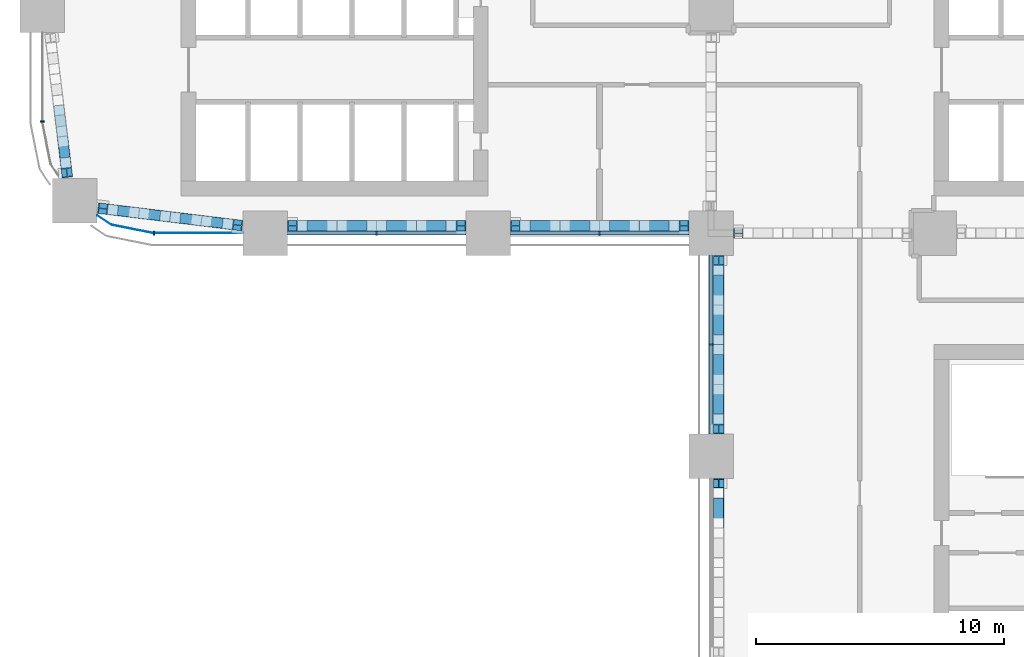
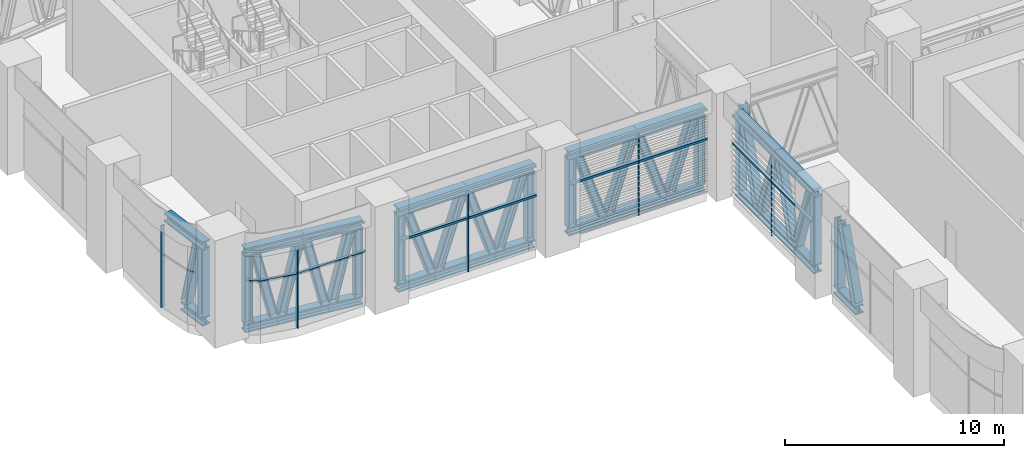
# One storey, part 3 of 24: 65 members, 5 elements without a shape of their own.
"""IFC4 building model written with IfcOpenShell, lengths in metres."""

from ifc_helpers import new_model, si_unit, direction, frame, origin, origin_2d, place, context, subcontext, project, spatial, polyline, rectangle, i_section, outline, extrude, material, material_profile, profile_set, type_object, element, aggregate, save


model = new_model("IFC4")

# Units and contexts
model_context = context("Model", 3, precision=1e-05, world=origin(), true_north=direction((0.0, 1.0)))
body_context = subcontext(model_context, "Body", "Model", "MODEL_VIEW")
ifc_project = project(units=[si_unit("LENGTHUNIT", "METRE"), si_unit("AREAUNIT", "SQUARE_METRE"), si_unit("VOLUMEUNIT", "CUBIC_METRE"), si_unit("PLANEANGLEUNIT", "RADIAN"), si_unit("MASSUNIT", "GRAM", prefix="KILO")], contexts=[model_context])

# Site, building, storey
site_placement = place(None, origin())
site = spatial("IfcSite", under=ifc_project, at=site_placement, CompositionType="ELEMENT")
building_placement = place(site_placement, origin())
building = spatial("IfcBuilding", under=site, at=building_placement, Name="Tessera Arch", CompositionType="ELEMENT")
storey_placement = place(building_placement, frame((0.0, 0.0, 123.39990234375)))
storey = spatial("IfcBuildingStorey", under=building, at=storey_placement, Name="L29", CompositionType="ELEMENT", Elevation=123.39990234375)

# Curtain wall, member
ifc_material_1 = material(Name="CW7 curtain wall")
curtain_wall_type = type_object("IfcCurtainWallType", Name="CW7 curtain wall", PredefinedType="NOTDEFINED", material=ifc_material_1)
curtain_wall_1_placement = place(storey_placement, origin())
curtain_wall_1 = element("IfcCurtainWall", 1, at=curtain_wall_1_placement, inside=storey, type_object=curtain_wall_type, Name="CW7 curtain wall W0.27/2 L29", PredefinedType="NOTDEFINED")
ifc_material_2 = material(Name="Anodised aluminium pale metal", Category="aluminium")
ifc_material_profile_1 = material_profile(ifc_material_2, rectangle(XDim=0.159912109375, YDim=0.06005859375, at=origin_2d()), Name="AL 60x160")
ifc_profile_set_1 = profile_set([ifc_material_profile_1], Name="Anodised aluminium pale metal")
member_type_1 = type_object("IfcMemberType", Name="CW7 mullion", PredefinedType="MULLION", material=ifc_profile_set_1)
member_1_placement = place(storey_placement, frame((0.0, 31.5, 0.0), z_axis=(0.0, 0.0, 1.0), x_axis=(1.0, 0.0, 0.0)))
member_1 = element("IfcMember", 2, at=member_1_placement, type_object=member_type_1, Name="CW7 mullion W0.27/2 1", PredefinedType="MULLION", context=body_context, shape_type="SweptSolid", body=[
    extrude(rectangle(XDim=0.159912109375, YDim=0.06005859375, at=origin_2d()), origin(), (0.0, 0.0, 1.0), 4.580078125),
])
aggregate(curtain_wall_1, [member_1])

curtain_wall_2_placement = place(storey_placement, origin())
curtain_wall_2 = element("IfcCurtainWall", 3, at=curtain_wall_2_placement, inside=storey, type_object=curtain_wall_type, Name="CW7 curtain wall S27.0/0 L29", PredefinedType="NOTDEFINED")
member_2_placement = place(storey_placement, frame((4.5, 27.0, 0.0), z_axis=(0.0, 0.0, 1.0), x_axis=(0.0, 1.0, 0.0)))
member_2 = element("IfcMember", 4, at=member_2_placement, type_object=member_type_1, Name="CW7 mullion S27.0/0 1", PredefinedType="MULLION", context=body_context, shape_type="SweptSolid", body=[
    extrude(rectangle(XDim=0.159912109375, YDim=0.06005859375, at=origin_2d()), origin(), (0.0, 0.0, 1.0), 4.580078125),
])

curtain_wall_3_placement = place(storey_placement, origin())
curtain_wall_3 = element("IfcCurtainWall", 5, at=curtain_wall_3_placement, inside=storey, type_object=curtain_wall_type, Name="CW7 curtain wall S27.0/1 L29", PredefinedType="NOTDEFINED")
member_3_placement = place(storey_placement, frame((13.5, 27.0, 0.0), z_axis=(0.0, 0.0, 1.0), x_axis=(0.0, 1.0, 0.0)))
member_3 = element("IfcMember", 6, at=member_3_placement, type_object=member_type_1, Name="CW7 mullion S27.0/1 1", PredefinedType="MULLION", context=body_context, shape_type="SweptSolid", body=[
    extrude(rectangle(XDim=0.159912109375, YDim=0.06005859375, at=origin_2d()), origin(), (0.0, 0.0, 1.0), 4.580078125),
])

curtain_wall_4_placement = place(storey_placement, origin())
curtain_wall_4 = element("IfcCurtainWall", 7, at=curtain_wall_4_placement, inside=storey, type_object=curtain_wall_type, Name="CW7 curtain wall S27.0/2 L29", PredefinedType="NOTDEFINED")
member_4_placement = place(storey_placement, frame((22.5, 27.0, 0.0), z_axis=(0.0, 0.0, 1.0), x_axis=(0.0, 1.0, 0.0)))
member_4 = element("IfcMember", 8, at=member_4_placement, type_object=member_type_1, Name="CW7 mullion S27.0/2 1", PredefinedType="MULLION", context=body_context, shape_type="SweptSolid", body=[
    extrude(rectangle(XDim=0.159912109375, YDim=0.06005859375, at=origin_2d()), origin(), (0.0, 0.0, 1.0), 4.580078125),
])

curtain_wall_5_placement = place(storey_placement, origin())
curtain_wall_5 = element("IfcCurtainWall", 9, at=curtain_wall_5_placement, inside=storey, type_object=curtain_wall_type, Name="CW7 curtain wall W27.0/0 L29", PredefinedType="NOTDEFINED")
member_5_placement = place(storey_placement, frame((27.0, 22.5, 0.0), z_axis=(0.0, 0.0, 1.0), x_axis=(1.0, 0.0, 0.0)))
member_5 = element("IfcMember", 10, at=member_5_placement, type_object=member_type_1, Name="CW7 mullion W27.0/0 1", PredefinedType="MULLION", context=body_context, shape_type="SweptSolid", body=[
    extrude(rectangle(XDim=0.159912109375, YDim=0.06005859375, at=origin_2d()), origin(), (0.0, 0.0, 1.0), 4.47021484375),
])

# Member
ifc_material_3 = material(Name="Anodised aluminium pale metal", Category="aluminium")
ifc_material_profile_2 = material_profile(ifc_material_3, rectangle(XDim=0.159912109375, YDim=0.1201171875, at=origin_2d()), Name="AL 160x120")
ifc_profile_set_2 = profile_set([ifc_material_profile_2], Name="Anodised aluminium pale metal")
member_type_2 = type_object("IfcMemberType", Name="CW7 transom", PredefinedType="USERDEFINED", material=ifc_profile_set_2)
member_6_placement = place(storey_placement, frame((0.0, 0.0, 3.0)))
member_6 = element("IfcMember", 11, at=member_6_placement, type_object=member_type_2, Name="CW7 transom S27.0/0 1", ObjectType="TRANSOM", PredefinedType="USERDEFINED", context=body_context, shape_type="SweptSolid", body=[
    extrude(outline(polyline([(2.78173828125, 27.351806640625), (2.2236328125, 27.72509765625), (2.21240234375, 27.70849609375), (2.77392578125, 27.3330078125), (4.4990234375, 26.989990234375), (8.10009765625, 26.989990234375), (8.10009765625, 27.010009765625), (4.5009765625, 27.010009765625), (2.78173828125, 27.351806640625)])), origin(), (0.0, 0.0, 1.0), 0.1201171875),
])

member_7_placement = place(storey_placement, frame((0.0, 0.0, 4.580078125)))
member_7 = element("IfcMember", 12, at=member_7_placement, type_object=member_type_2, Name="CW7 transom S27.0/0 2", ObjectType="TRANSOM", PredefinedType="USERDEFINED", context=body_context, shape_type="SweptSolid", body=[
    extrude(outline(polyline([(2.78173828125, 27.351806640625), (2.2236328125, 27.72509765625), (2.21240234375, 27.70849609375), (2.77392578125, 27.3330078125), (4.4990234375, 26.989990234375), (8.10009765625, 26.989990234375), (8.10009765625, 27.010009765625), (4.5009765625, 27.010009765625), (2.78173828125, 27.351806640625)])), origin(), (0.0, 0.0, 1.0), 0.1201171875),
])

aggregate(curtain_wall_2, [member_2, member_6, member_7])

member_8_placement = place(storey_placement, frame((9.89990234375, 27.0, 4.64013671875), z_axis=(1.0, 0.0, 0.0), x_axis=(0.0, 1.0, 0.0)))
member_8 = element("IfcMember", 13, at=member_8_placement, type_object=member_type_2, Name="CW7 transom S27.0/1 1.1", ObjectType="TRANSOM", PredefinedType="USERDEFINED", context=body_context, shape_type="SweptSolid", body=[
    extrude(rectangle(XDim=0.159912109375, YDim=0.1201171875, at=origin_2d()), origin(), (0.0, 0.0, 1.0), 7.2001953125),
])

member_9_placement = place(storey_placement, frame((9.89990234375, 27.0, 3.0), z_axis=(1.0, 0.0, 0.0), x_axis=(0.0, 1.0, 0.0)))
member_9 = element("IfcMember", 14, at=member_9_placement, type_object=member_type_2, Name="CW7 transom S27.0/1 2.1", ObjectType="TRANSOM", PredefinedType="USERDEFINED", context=body_context, shape_type="SweptSolid", body=[
    extrude(rectangle(XDim=0.159912109375, YDim=0.1201171875, at=origin_2d()), origin(), (0.0, 0.0, 1.0), 7.2001953125),
])

aggregate(curtain_wall_3, [member_3, member_8, member_9])

member_10_placement = place(storey_placement, frame((18.89990234375, 27.0, 4.64013671875), z_axis=(1.0, 0.0, 0.0), x_axis=(0.0, 1.0, 0.0)))
member_10 = element("IfcMember", 15, at=member_10_placement, type_object=member_type_2, Name="CW7 transom S27.0/2 1.1", ObjectType="TRANSOM", PredefinedType="USERDEFINED", context=body_context, shape_type="SweptSolid", body=[
    extrude(rectangle(XDim=0.159912109375, YDim=0.1201171875, at=origin_2d()), origin(), (0.0, 0.0, 1.0), 7.2001953125),
])

member_11_placement = place(storey_placement, frame((18.89990234375, 27.0, 3.0), z_axis=(1.0, 0.0, 0.0), x_axis=(0.0, 1.0, 0.0)))
member_11 = element("IfcMember", 16, at=member_11_placement, type_object=member_type_2, Name="CW7 transom S27.0/2 2.1", ObjectType="TRANSOM", PredefinedType="USERDEFINED", context=body_context, shape_type="SweptSolid", body=[
    extrude(rectangle(XDim=0.159912109375, YDim=0.1201171875, at=origin_2d()), origin(), (0.0, 0.0, 1.0), 7.2001953125),
])

aggregate(curtain_wall_4, [member_4, member_10, member_11])

member_12_placement = place(storey_placement, frame((27.0, 26.10009765625, 4.530029296875), z_axis=(0.0, -1.0, 0.0), x_axis=(1.0, 0.0, 0.0)))
member_12 = element("IfcMember", 17, at=member_12_placement, type_object=member_type_2, Name="CW7 transom W27.0/0 1.1", ObjectType="TRANSOM", PredefinedType="USERDEFINED", context=body_context, shape_type="SweptSolid", body=[
    extrude(rectangle(XDim=0.159912109375, YDim=0.1201171875, at=origin_2d()), origin(), (0.0, 0.0, 1.0), 7.2001953125),
])

member_13_placement = place(storey_placement, frame((27.0, 26.10009765625, 3.0), z_axis=(0.0, -1.0, 0.0), x_axis=(1.0, 0.0, 0.0)))
member_13 = element("IfcMember", 18, at=member_13_placement, type_object=member_type_2, Name="CW7 transom W27.0/0 2.1", ObjectType="TRANSOM", PredefinedType="USERDEFINED", context=body_context, shape_type="SweptSolid", body=[
    extrude(rectangle(XDim=0.159912109375, YDim=0.1201171875, at=origin_2d()), origin(), (0.0, 0.0, 1.0), 7.2001953125),
])

aggregate(curtain_wall_5, [member_5, member_12, member_13])

# Members
ifc_material_4 = material(Name="Steel A992 Gr50", Category="steel")
ifc_material_profile_3 = material_profile(ifc_material_4, i_section(OverallWidth=0.424072265625, OverallDepth=0.47412109375, WebThickness=0.047607421875, FlangeThickness=0.0771484375, at=origin_2d()), Name="W14x426")
ifc_profile_set_3 = profile_set([ifc_material_profile_3], Name="Steel A992 Gr50")
member_type_3 = type_object("IfcMemberType", Name="Truss chord W14x426", PredefinedType="CHORD", material=ifc_profile_set_3)
member_14_placement = place(storey_placement, frame((0.659912109375, 32.164306640625, 4.462890625), z_axis=(0.12092827679, -0.992661247291, 0.0), x_axis=(0.992661247291, 0.12092827679, 0.0)))
element("IfcMember", 19, at=member_14_placement, inside=storey, type_object=member_type_3, Name="Belt truss top chord 2", PredefinedType="CHORD", context=body_context, shape_type="SweptSolid", body=[
    extrude(i_section(OverallWidth=0.424072265625, OverallDepth=0.47412109375, WebThickness=0.047607421875, FlangeThickness=0.0771484375, at=origin_2d()), origin(), (0.0, 0.0, 1.0), 2.931396484375),
])
member_15_placement = place(storey_placement, frame((0.8134765625, 30.90478515625, 0.2373046875), z_axis=(0.120853214479, -0.992670388674, 0.0), x_axis=(0.992670388674, 0.120853214479, 0.0)))
element("IfcMember", 20, at=member_15_placement, inside=storey, type_object=member_type_3, Name="Belt truss bottom chord 3", PredefinedType="CHORD", context=body_context, shape_type="SweptSolid", body=[
    extrude(i_section(OverallWidth=0.424072265625, OverallDepth=0.47412109375, WebThickness=0.047607421875, FlangeThickness=0.0771484375, at=origin_2d()), origin(), (0.0, 0.0, 1.0), 1.66259765625),
])
member_16_placement = place(storey_placement, frame((2.25439453125, 28.014404296875, 4.462890625), z_axis=(0.992661247291, -0.12092827679, 0.0), x_axis=(0.12092827679, 0.992661247291, 0.0)))
element("IfcMember", 21, at=member_16_placement, inside=storey, type_object=member_type_3, Name="Belt truss top chord 1", PredefinedType="CHORD", context=body_context, shape_type="SweptSolid", body=[
    extrude(i_section(OverallWidth=0.424072265625, OverallDepth=0.47412109375, WebThickness=0.047607421875, FlangeThickness=0.0771484375, at=origin_2d()), origin(), (0.0, 0.0, 1.0), 2.931396484375),
])
member_17_placement = place(storey_placement, frame((5.164306640625, 27.659912109375, 4.462890625), z_axis=(0.992662465055, -0.120918280139, 0.0), x_axis=(0.120918280139, 0.992662465055, 0.0)))
element("IfcMember", 22, at=member_17_placement, inside=storey, type_object=member_type_3, Name="Belt truss top chord 2", PredefinedType="CHORD", context=body_context, shape_type="SweptSolid", body=[
    extrude(i_section(OverallWidth=0.424072265625, OverallDepth=0.47412109375, WebThickness=0.047607421875, FlangeThickness=0.0771484375, at=origin_2d()), origin(), (0.0, 0.0, 1.0), 2.931640625),
])
member_18_placement = place(storey_placement, frame((2.25439453125, 28.014404296875, 0.2373046875), z_axis=(0.992670388674, -0.120853214479, 0.0), x_axis=(0.120853214479, 0.992670388674, 0.0)))
element("IfcMember", 23, at=member_18_placement, inside=storey, type_object=member_type_3, Name="Belt truss bottom chord 1", PredefinedType="CHORD", context=body_context, shape_type="SweptSolid", body=[
    extrude(i_section(OverallWidth=0.424072265625, OverallDepth=0.47412109375, WebThickness=0.047607421875, FlangeThickness=0.0771484375, at=origin_2d()), origin(), (0.0, 0.0, 1.0), 1.66259765625),
])
member_19_placement = place(storey_placement, frame((3.90478515625, 27.8134765625, 0.2373046875), z_axis=(0.992650669676, -0.121015073404, 0.0), x_axis=(0.121015073404, 0.992650669676, 0.0)))
element("IfcMember", 24, at=member_19_placement, inside=storey, type_object=member_type_3, Name="Belt truss bottom chord 2", PredefinedType="CHORD", context=body_context, shape_type="SweptSolid", body=[
    extrude(i_section(OverallWidth=0.424072265625, OverallDepth=0.47412109375, WebThickness=0.047607421875, FlangeThickness=0.0771484375, at=origin_2d()), origin(), (0.0, 0.0, 1.0), 2.537841796875),
])
member_20_placement = place(storey_placement, frame((6.424072265625, 27.50634765625, 0.2373046875), z_axis=(0.992670388674, -0.120853214479, 0.0), x_axis=(0.120853214479, 0.992670388674, 0.0)))
element("IfcMember", 25, at=member_20_placement, inside=storey, type_object=member_type_3, Name="Belt truss bottom chord 3", PredefinedType="CHORD", context=body_context, shape_type="SweptSolid", body=[
    extrude(i_section(OverallWidth=0.424072265625, OverallDepth=0.47412109375, WebThickness=0.047607421875, FlangeThickness=0.0771484375, at=origin_2d()), origin(), (0.0, 0.0, 1.0), 1.66259765625),
])
for number, where, z_axis, x_axis, name in (
    (26, (9.89990234375, 27.300048828125, 4.462890625), (1.0, 0.0, 0.0), (0.0, 1.0, 0.0), "Belt truss top chord 1"),
    (27, (13.5, 27.300048828125, 4.462890625), (1.0, 0.0, 0.0), (0.0, 1.0, 0.0), "Belt truss top chord 2"),
):
    element("IfcMember", number, at=place(storey_placement, frame(where, z_axis=z_axis, x_axis=x_axis)), inside=storey, type_object=member_type_3, Name=name, PredefinedType="CHORD", context=body_context, shape_type="SweptSolid", body=[
        extrude(i_section(OverallWidth=0.424072265625, OverallDepth=0.47412109375, WebThickness=0.047607421875, FlangeThickness=0.0771484375, at=origin_2d()), origin(), (0.0, 0.0, 1.0), 3.60009765625),
    ])
member_21_placement = place(storey_placement, frame((9.89990234375, 27.300048828125, 0.2373046875), z_axis=(1.0, 0.0, 0.0), x_axis=(0.0, 1.0, 0.0)))
element("IfcMember", 28, at=member_21_placement, inside=storey, type_object=member_type_3, Name="Belt truss bottom chord 1", PredefinedType="CHORD", context=body_context, shape_type="SweptSolid", body=[
    extrude(i_section(OverallWidth=0.424072265625, OverallDepth=0.47412109375, WebThickness=0.047607421875, FlangeThickness=0.0771484375, at=origin_2d()), origin(), (0.0, 0.0, 1.0), 1.996826171875),
])
member_22_placement = place(storey_placement, frame((11.896728515625, 27.300048828125, 0.2373046875), z_axis=(1.0, 0.0, 0.0), x_axis=(0.0, 1.0, 0.0)))
element("IfcMember", 29, at=member_22_placement, inside=storey, type_object=member_type_3, Name="Belt truss bottom chord 2", PredefinedType="CHORD", context=body_context, shape_type="SweptSolid", body=[
    extrude(i_section(OverallWidth=0.424072265625, OverallDepth=0.47412109375, WebThickness=0.047607421875, FlangeThickness=0.0771484375, at=origin_2d()), origin(), (0.0, 0.0, 1.0), 3.20654296875),
])
member_23_placement = place(storey_placement, frame((15.103271484375, 27.300048828125, 0.2373046875), z_axis=(1.0, 0.0, 0.0), x_axis=(0.0, 1.0, 0.0)))
element("IfcMember", 30, at=member_23_placement, inside=storey, type_object=member_type_3, Name="Belt truss bottom chord 3", PredefinedType="CHORD", context=body_context, shape_type="SweptSolid", body=[
    extrude(i_section(OverallWidth=0.424072265625, OverallDepth=0.47412109375, WebThickness=0.047607421875, FlangeThickness=0.0771484375, at=origin_2d()), origin(), (0.0, 0.0, 1.0), 1.996826171875),
])
for number, where, z_axis, x_axis, name in (
    (31, (18.89990234375, 27.300048828125, 4.462890625), (1.0, 0.0, 0.0), (0.0, 1.0, 0.0), "Belt truss top chord 1"),
    (32, (22.5, 27.300048828125, 4.462890625), (1.0, 0.0, 0.0), (0.0, 1.0, 0.0), "Belt truss top chord 2"),
):
    element("IfcMember", number, at=place(storey_placement, frame(where, z_axis=z_axis, x_axis=x_axis)), inside=storey, type_object=member_type_3, Name=name, PredefinedType="CHORD", context=body_context, shape_type="SweptSolid", body=[
        extrude(i_section(OverallWidth=0.424072265625, OverallDepth=0.47412109375, WebThickness=0.047607421875, FlangeThickness=0.0771484375, at=origin_2d()), origin(), (0.0, 0.0, 1.0), 3.60009765625),
    ])
member_24_placement = place(storey_placement, frame((18.89990234375, 27.300048828125, 0.2373046875), z_axis=(1.0, 0.0, 0.0), x_axis=(0.0, 1.0, 0.0)))
element("IfcMember", 33, at=member_24_placement, inside=storey, type_object=member_type_3, Name="Belt truss bottom chord 1", PredefinedType="CHORD", context=body_context, shape_type="SweptSolid", body=[
    extrude(i_section(OverallWidth=0.424072265625, OverallDepth=0.47412109375, WebThickness=0.047607421875, FlangeThickness=0.0771484375, at=origin_2d()), origin(), (0.0, 0.0, 1.0), 1.996826171875),
])
member_25_placement = place(storey_placement, frame((20.896728515625, 27.300048828125, 0.2373046875), z_axis=(1.0, 0.0, 0.0), x_axis=(0.0, 1.0, 0.0)))
element("IfcMember", 34, at=member_25_placement, inside=storey, type_object=member_type_3, Name="Belt truss bottom chord 2", PredefinedType="CHORD", context=body_context, shape_type="SweptSolid", body=[
    extrude(i_section(OverallWidth=0.424072265625, OverallDepth=0.47412109375, WebThickness=0.047607421875, FlangeThickness=0.0771484375, at=origin_2d()), origin(), (0.0, 0.0, 1.0), 3.20654296875),
])
member_26_placement = place(storey_placement, frame((24.103271484375, 27.300048828125, 0.2373046875), z_axis=(1.0, 0.0, 0.0), x_axis=(0.0, 1.0, 0.0)))
element("IfcMember", 35, at=member_26_placement, inside=storey, type_object=member_type_3, Name="Belt truss bottom chord 3", PredefinedType="CHORD", context=body_context, shape_type="SweptSolid", body=[
    extrude(i_section(OverallWidth=0.424072265625, OverallDepth=0.47412109375, WebThickness=0.047607421875, FlangeThickness=0.0771484375, at=origin_2d()), origin(), (0.0, 0.0, 1.0), 1.996826171875),
])
for number, where, z_axis, x_axis, name in (
    (36, (27.300048828125, 26.10009765625, 4.462890625), (0.0, -1.0, 0.0), (1.0, 0.0, 0.0), "Belt truss top chord 1"),
    (37, (27.300048828125, 22.5, 4.462890625), (0.0, -1.0, 0.0), (1.0, 0.0, 0.0), "Belt truss top chord 2"),
):
    element("IfcMember", number, at=place(storey_placement, frame(where, z_axis=z_axis, x_axis=x_axis)), inside=storey, type_object=member_type_3, Name=name, PredefinedType="CHORD", context=body_context, shape_type="SweptSolid", body=[
        extrude(i_section(OverallWidth=0.424072265625, OverallDepth=0.47412109375, WebThickness=0.047607421875, FlangeThickness=0.0771484375, at=origin_2d()), origin(), (0.0, 0.0, 1.0), 3.60009765625),
    ])
member_27_placement = place(storey_placement, frame((27.300048828125, 26.10009765625, 0.2373046875), z_axis=(0.0, -1.0, 0.0), x_axis=(1.0, 0.0, 0.0)))
element("IfcMember", 38, at=member_27_placement, inside=storey, type_object=member_type_3, Name="Belt truss bottom chord 1", PredefinedType="CHORD", context=body_context, shape_type="SweptSolid", body=[
    extrude(i_section(OverallWidth=0.424072265625, OverallDepth=0.47412109375, WebThickness=0.047607421875, FlangeThickness=0.0771484375, at=origin_2d()), origin(), (0.0, 0.0, 1.0), 1.996826171875),
])
member_28_placement = place(storey_placement, frame((27.300048828125, 24.103271484375, 0.2373046875), z_axis=(0.0, -1.0, 0.0), x_axis=(1.0, 0.0, 0.0)))
element("IfcMember", 39, at=member_28_placement, inside=storey, type_object=member_type_3, Name="Belt truss bottom chord 2", PredefinedType="CHORD", context=body_context, shape_type="SweptSolid", body=[
    extrude(i_section(OverallWidth=0.424072265625, OverallDepth=0.47412109375, WebThickness=0.047607421875, FlangeThickness=0.0771484375, at=origin_2d()), origin(), (0.0, 0.0, 1.0), 3.20654296875),
])
for number, where, z_axis, x_axis, name in (
    (40, (27.300048828125, 20.896728515625, 0.2373046875), (0.0, -1.0, 0.0), (1.0, 0.0, 0.0), "Belt truss bottom chord 3"),
    (41, (27.300048828125, 17.10009765625, 0.2373046875), (0.0, -1.0, 0.0), (1.0, 0.0, 0.0), "Belt truss bottom chord 1"),
):
    element("IfcMember", number, at=place(storey_placement, frame(where, z_axis=z_axis, x_axis=x_axis)), inside=storey, type_object=member_type_3, Name=name, PredefinedType="CHORD", context=body_context, shape_type="SweptSolid", body=[
        extrude(i_section(OverallWidth=0.424072265625, OverallDepth=0.47412109375, WebThickness=0.047607421875, FlangeThickness=0.0771484375, at=origin_2d()), origin(), (0.0, 0.0, 1.0), 1.996826171875),
    ])
ifc_material_5 = material(Name="Steel A992 Gr50", Category="steel")
ifc_material_profile_4 = material_profile(ifc_material_5, i_section(OverallWidth=0.406494140625, OverallDepth=0.41650390625, WebThickness=0.030029296875, FlangeThickness=0.048095703125, at=origin_2d()), Name="W14x257")
ifc_profile_set_4 = profile_set([ifc_material_profile_4], Name="Steel A992 Gr50")
member_type_4 = type_object("IfcMemberType", Name="Truss diagonal W14x257", PredefinedType="BRACE", material=ifc_profile_set_4)
for number, where, z_axis, x_axis, name in (
    (42, (0.83837890625, 30.699462890625, 0.539794921875), (0.027824663666, -0.228240991109, 0.973206986242), (0.992650895605, 0.121013220166, 0.0), "Belt truss diagonal 4"),
    (43, (2.850341796875, 27.94189453125, 4.160400390625), (0.228240991109, -0.027824663666, -0.973206986242), (0.121013220166, 0.992650895605, 0.0), "Belt truss diagonal 1"),
    (44, (4.110107421875, 27.788330078125, 0.539794921875), (0.228178784129, -0.027825080377, 0.973221561298), (0.121047514191, 0.992646714248, 0.0), "Belt truss diagonal 2"),
    (45, (5.36962890625, 27.635009765625, 4.160400390625), (0.228240991109, -0.027824663666, -0.973206986242), (0.121013220166, 0.992650895605, 0.0), "Belt truss diagonal 3"),
    (46, (6.62939453125, 27.4814453125, 0.539794921875), (0.228178784129, -0.027825080377, 0.973221561298), (0.121047514191, 0.992646714248, 0.0), "Belt truss diagonal 4"),
):
    element("IfcMember", number, at=place(storey_placement, frame(where, z_axis=z_axis, x_axis=x_axis)), inside=storey, type_object=member_type_4, Name=name, PredefinedType="BRACE", context=body_context, shape_type="SweptSolid", body=[
        extrude(i_section(OverallWidth=0.406494140625, OverallDepth=0.41650390625, WebThickness=0.030029296875, FlangeThickness=0.048095703125, at=origin_2d()), origin(), (0.0, 0.0, 1.0), 3.72021484375),
    ])
for number, where, z_axis, x_axis, name in (
    (47, (10.4970703125, 27.300048828125, 4.142822265625), (0.316557157585, 0.0, -0.948573437316), (0.0, 1.0, 0.0), "Belt truss diagonal 1"),
    (48, (12.10009765625, 27.300048828125, 0.557373046875), (0.316557157585, 0.0, 0.948573437316), (0.0, 1.0, 0.0), "Belt truss diagonal 2"),
    (49, (13.703369140625, 27.300048828125, 4.142822265625), (0.316557157585, 0.0, -0.948573437316), (0.0, 1.0, 0.0), "Belt truss diagonal 3"),
    (50, (15.306396484375, 27.300048828125, 0.557373046875), (0.316557157585, 0.0, 0.948573437316), (0.0, 1.0, 0.0), "Belt truss diagonal 4"),
    (51, (19.4970703125, 27.300048828125, 4.142822265625), (0.316557157585, 0.0, -0.948573437316), (0.0, 1.0, 0.0), "Belt truss diagonal 1"),
    (52, (21.10009765625, 27.300048828125, 0.557373046875), (0.316557157585, 0.0, 0.948573437316), (0.0, 1.0, 0.0), "Belt truss diagonal 2"),
    (53, (22.703369140625, 27.300048828125, 4.142822265625), (0.316557157585, 0.0, -0.948573437316), (0.0, 1.0, 0.0), "Belt truss diagonal 3"),
    (54, (24.306396484375, 27.300048828125, 0.557373046875), (0.316557157585, 0.0, 0.948573437316), (0.0, 1.0, 0.0), "Belt truss diagonal 4"),
    (55, (27.300048828125, 25.5029296875, 4.142822265625), (0.0, -0.316557157585, -0.948573437316), (1.0, 0.0, 0.0), "Belt truss diagonal 1"),
    (56, (27.300048828125, 23.89990234375, 0.557373046875), (0.0, -0.316557157585, 0.948573437316), (1.0, 0.0, 0.0), "Belt truss diagonal 2"),
    (57, (27.300048828125, 22.296630859375, 4.142822265625), (0.0, -0.316557157585, -0.948573437316), (1.0, 0.0, 0.0), "Belt truss diagonal 3"),
    (58, (27.300048828125, 20.693603515625, 0.557373046875), (0.0, -0.316557157585, 0.948573437316), (1.0, 0.0, 0.0), "Belt truss diagonal 4"),
    (59, (27.300048828125, 16.5029296875, 4.142822265625), (0.0, -0.316557157585, -0.948573437316), (1.0, 0.0, 0.0), "Belt truss diagonal 1"),
):
    element("IfcMember", number, at=place(storey_placement, frame(where, z_axis=z_axis, x_axis=x_axis)), inside=storey, type_object=member_type_4, Name=name, PredefinedType="BRACE", context=body_context, shape_type="SweptSolid", body=[
        extrude(i_section(OverallWidth=0.406494140625, OverallDepth=0.41650390625, WebThickness=0.030029296875, FlangeThickness=0.048095703125, at=origin_2d()), origin(), (0.0, 0.0, 1.0), 3.77978515625),
    ])
ifc_material_6 = material(Name="Steel A992 Gr50", Category="steel")
ifc_material_profile_5 = material_profile(ifc_material_6, i_section(OverallWidth=0.398681640625, OverallDepth=0.393798828125, WebThickness=0.022705078125, FlangeThickness=0.03662109375, at=origin_2d()), Name="W14x193")
ifc_profile_set_5 = profile_set([ifc_material_profile_5], Name="Steel A992 Gr50")
member_type_5 = type_object("IfcMemberType", Name="Truss post W14x193", PredefinedType="POST", material=ifc_profile_set_5)
for number, where, z_axis, x_axis, name in (
    (60, (0.99072265625, 29.44970703125, 0.474365234375), (0.0, 0.0, 1.0), (0.992658385962, 0.120951762202, 0.0), "Belt truss end post 2"),
    (61, (2.44970703125, 27.99072265625, 0.474365234375), (0.0, 0.0, 1.0), (0.120951762202, 0.992658385962, 0.0), "Belt truss end post 1"),
    (62, (7.87890625, 27.3291015625, 0.474365234375), (0.0, 0.0, 1.0), (0.120951762202, 0.992658385962, 0.0), "Belt truss end post 2"),
    (63, (10.096923828125, 27.300048828125, 0.474365234375), (0.0, 0.0, 1.0), (0.0, 1.0, 0.0), "Belt truss end post 1"),
    (64, (16.903076171875, 27.300048828125, 0.474365234375), (0.0, 0.0, 1.0), (0.0, 1.0, 0.0), "Belt truss end post 2"),
    (65, (19.096923828125, 27.300048828125, 0.474365234375), (0.0, 0.0, 1.0), (0.0, 1.0, 0.0), "Belt truss end post 1"),
    (66, (25.903076171875, 27.300048828125, 0.474365234375), (0.0, 0.0, 1.0), (0.0, 1.0, 0.0), "Belt truss end post 2"),
    (67, (27.300048828125, 25.903076171875, 0.474365234375), (0.0, 0.0, 1.0), (1.0, 0.0, 0.0), "Belt truss end post 1"),
    (68, (27.300048828125, 19.096923828125, 0.474365234375), (0.0, 0.0, 1.0), (1.0, 0.0, 0.0), "Belt truss end post 2"),
    (69, (27.300048828125, 16.903076171875, 0.474365234375), (0.0, 0.0, 1.0), (1.0, 0.0, 0.0), "Belt truss end post 1"),
    (70, (28.096923828125, 27.0, 0.474365234375), (0.0, 0.0, 1.0), (0.0, 1.0, 0.0), "Belt truss end post 1"),
):
    element("IfcMember", number, at=place(storey_placement, frame(where, z_axis=z_axis, x_axis=x_axis)), inside=storey, type_object=member_type_5, Name=name, PredefinedType="POST", context=body_context, shape_type="SweptSolid", body=[
        extrude(i_section(OverallWidth=0.398681640625, OverallDepth=0.393798828125, WebThickness=0.022705078125, FlangeThickness=0.03662109375, at=origin_2d()), origin(), (0.0, 0.0, 1.0), 3.75146484375),
    ])

save(model, "model.ifc")
